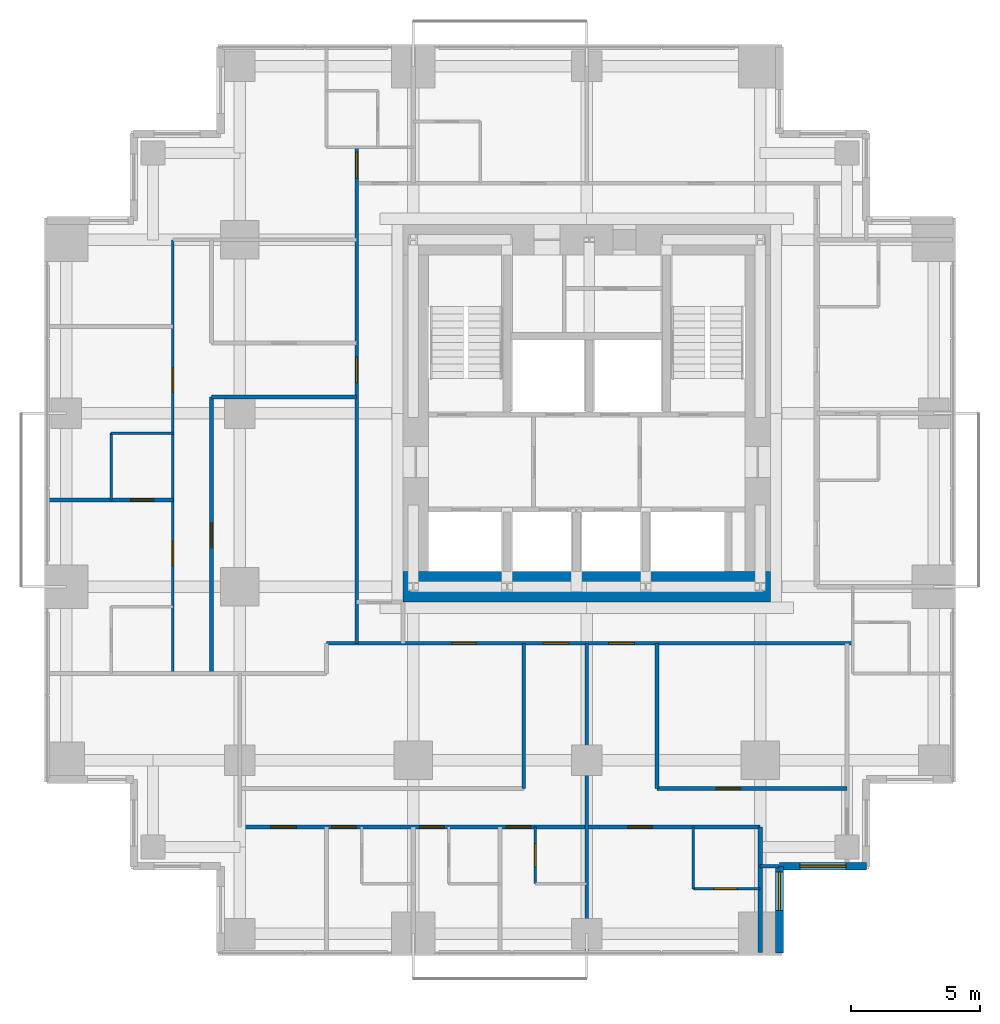
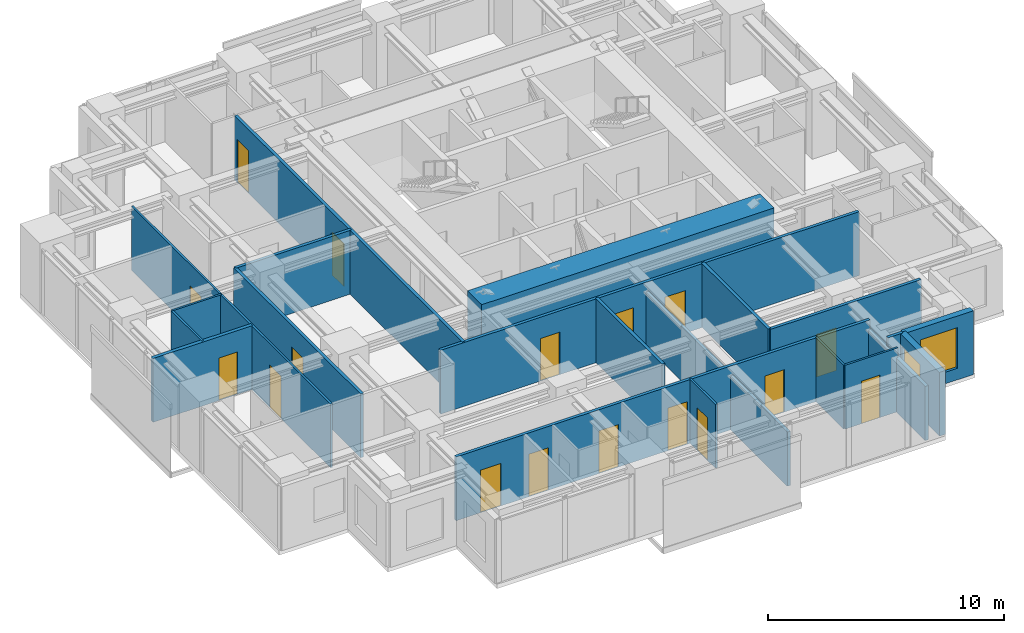
# One storey, part 6 of 10: 21 walls, 17 doors, 2 windows, 19 openings.
"""IFC4 building model written with IfcOpenShell, lengths in metres."""

from ifc_helpers import new_model, si_unit, direction, frame, frame_2d, origin, place, context, subcontext, project, spatial, rectangle, extrude, material, layer, layer_set, type_object, element, fill, save


model = new_model("IFC4")

# Units and contexts
model_context = context("Model", 3, precision=1e-05, world=origin(), true_north=direction((0.0, 1.0)))
body_context = subcontext(model_context, "Body", "Model", "MODEL_VIEW")
ifc_project = project(units=[si_unit("LENGTHUNIT", "METRE"), si_unit("AREAUNIT", "SQUARE_METRE"), si_unit("VOLUMEUNIT", "CUBIC_METRE"), si_unit("PLANEANGLEUNIT", "RADIAN"), si_unit("MASSUNIT", "GRAM", prefix="KILO")], contexts=[model_context])

# Site, building, storey
site_placement = place(None, origin())
site = spatial("IfcSite", under=ifc_project, at=site_placement, CompositionType="ELEMENT")
building_placement = place(site_placement, origin())
building = spatial("IfcBuilding", under=site, at=building_placement, Name="Nyansa Garden Tower", CompositionType="ELEMENT")
storey_placement = place(building_placement, frame((0.0, 0.0, 196.199951171875)))
storey = spatial("IfcBuildingStorey", under=building, at=storey_placement, Name="L53", CompositionType="ELEMENT", Elevation=196.199951171875)

# Wall, opening, door
ifc_material_1 = material(Name="Dense blockwork, plastered both sides, 55 dB", Category="masonry")
ifc_layer_1 = layer(ifc_material_1, 0.175048828125)
ifc_layer_set_1 = layer_set([ifc_layer_1], Name="Acoustic party wall PW175")
wall_type_1 = type_object("IfcWallType", Name="Acoustic party wall PW175", PredefinedType="PARTITIONING", material=ifc_layer_set_1)
wall_1_placement = place(storey_placement, frame((-0.73388671875, 16.875, 0.0), z_axis=(0.0, 0.0, 1.0), x_axis=(1.0, 0.0, 0.0)))
wall_1 = element("IfcWall", 1, at=wall_1_placement, inside=storey, type_object=wall_type_1, Name="Party wall", PredefinedType="PARTITIONING", context=body_context, shape_type="SweptSolid", body=[
    extrude(rectangle(XDim=4.8837890625, YDim=0.175048828125, at=frame_2d((2.44189453125, 0.0))), origin(), (0.0, 0.0, 1.0), 3.300048828125),
])
opening_1_placement = place(wall_1_placement, frame((3.23388671875, 0.0, 0.0)))
opening_1 = element("IfcOpeningElement", 2, at=opening_1_placement, cuts=wall_1, Name="Opening D02", PredefinedType="OPENING", context=body_context, shape_type="SweptSolid", body=[
    extrude(rectangle(XDim=0.89990234375, YDim=2.199951171875, at=frame_2d((0.449951171875, 1.10009765625))), frame((0.0, 0.097412109375, 0.0), z_axis=(0.0, -1.0, 0.0), x_axis=(1.0, 0.0, 0.0)), (0.0, 0.0, 1.0), 0.195068359375),
])
ifc_material_2 = material(Name="Timber flush door", Category="wood")
door_type_1 = type_object("IfcDoorType", Name="En-suite door D02 900x2200", OperationType="SINGLE_SWING_RIGHT", PredefinedType="DOOR", material=ifc_material_2)
door_1_placement = place(opening_1_placement, origin())
door_1 = element("IfcDoor", 3, at=door_1_placement, inside=storey, type_object=door_type_1, Name="Door L53-049", OperationType="SINGLE_SWING_RIGHT", OverallHeight=2.199951171875, OverallWidth=0.89990234375, PredefinedType="DOOR", context=body_context, shape_type="SweptSolid", body=[
    extrude(rectangle(XDim=0.89990234375, YDim=2.199951171875, at=frame_2d((0.449951171875, 1.10009765625))), frame((0.0, 0.02490234375, 0.0), z_axis=(0.0, -1.0, 0.0), x_axis=(1.0, 0.0, 0.0)), (0.0, 0.0, 1.0), 0.050048828125),
])
fill(opening_1, door_1)

# Walls
wall_2_placement = place(storey_placement, frame((27.0, -0.73388671875, 0.0), z_axis=(0.0, 0.0, 1.0), x_axis=(0.0, 1.0, 0.0)))
element("IfcWall", 4, at=wall_2_placement, inside=storey, type_object=wall_type_1, Name="Party wall", PredefinedType="PARTITIONING", context=body_context, shape_type="SweptSolid", body=[
    extrude(rectangle(XDim=4.8837890625, YDim=0.175048828125, at=frame_2d((2.44189453125, 0.0))), origin(), (0.0, 0.0, 1.0), 2.802001953125),
])
ifc_material_3 = material(Name="Concrete C80/95", Category="concrete")
ifc_layer_2 = layer(ifc_material_3, 1.199951171875)
ifc_layer_set_2 = layer_set([ifc_layer_2], Name="Core wall CW1200")
wall_type_2 = type_object("IfcWallType", Name="Core wall CW1200", PredefinedType="SHEAR", material=ifc_layer_set_2)
wall_3_placement = place(storey_placement, frame((13.10009765625, 13.5, 0.0), z_axis=(0.0, 0.0, 1.0), x_axis=(1.0, 0.0, 0.0)))
element("IfcWall", 5, at=wall_3_placement, inside=storey, type_object=wall_type_2, Name="Core wall S L53", PredefinedType="SHEAR", context=body_context, shape_type="SweptSolid", body=[
    extrude(rectangle(XDim=14.2998046875, YDim=1.199951171875, at=frame_2d((7.14990234375, 0.0))), origin(), (0.0, 0.0, 1.0), 3.60009765625),
])

# Wall, opening, door
ifc_material_4 = material(Name="Blockwork, plastered both sides", Category="masonry")
ifc_layer_3 = layer(ifc_material_4, 0.14990234375)
ifc_layer_set_3 = layer_set([ifc_layer_3], Name="Partition PW150")
wall_type_3 = type_object("IfcWallType", Name="Partition PW150", PredefinedType="PARTITIONING", material=ifc_layer_set_3)
wall_4_placement = place(storey_placement, frame((5.64990234375, 10.125, 0.0), z_axis=(0.0, 0.0, 1.0), x_axis=(0.0, 1.0, 0.0)))
wall_4 = element("IfcWall", 6, at=wall_4_placement, inside=storey, type_object=wall_type_3, Name="Partition", PredefinedType="PARTITIONING", context=body_context, shape_type="SweptSolid", body=[
    extrude(rectangle(XDim=10.762451171875, YDim=0.14990234375, at=frame_2d((5.38134765625, 0.0))), origin(), (0.0, 0.0, 1.0), 3.300048828125),
])
opening_2_placement = place(wall_4_placement, frame((4.89990234375, 0.0, 0.0)))
opening_2 = element("IfcOpeningElement", 7, at=opening_2_placement, cuts=wall_4, Name="Opening D01", PredefinedType="OPENING", context=body_context, shape_type="SweptSolid", body=[
    extrude(rectangle(XDim=0.949951171875, YDim=2.199951171875, at=frame_2d((0.47509765625, 1.10009765625))), frame((0.0, 0.0849609375, 0.0), z_axis=(0.0, -1.0, 0.0), x_axis=(1.0, 0.0, 0.0)), (0.0, 0.0, 1.0), 0.169921875),
])
ifc_material_5 = material(Name="Timber flush door, 30 minute fire resisting", Category="wood")
door_type_2 = type_object("IfcDoorType", Name="Bedroom door D01 950x2200", OperationType="SINGLE_SWING_LEFT", PredefinedType="DOOR", material=ifc_material_5)
door_2_placement = place(opening_2_placement, origin())
door_2 = element("IfcDoor", 8, at=door_2_placement, inside=storey, type_object=door_type_2, Name="Door L53-051", OperationType="SINGLE_SWING_LEFT", OverallHeight=2.199951171875, OverallWidth=0.949951171875, PredefinedType="DOOR", context=body_context, shape_type="SweptSolid", body=[
    extrude(rectangle(XDim=0.949951171875, YDim=2.199951171875, at=frame_2d((0.47509765625, 1.10009765625))), frame((0.0, 0.02490234375, 0.0), z_axis=(0.0, -1.0, 0.0), x_axis=(1.0, 0.0, 0.0)), (0.0, 0.0, 1.0), 0.050048828125),
])
fill(opening_2, door_2)

# Wall
wall_5_placement = place(storey_placement, frame((5.64990234375, 20.886962890625, 0.0), z_axis=(0.0, 0.0, 1.0), x_axis=(1.0, 0.0, 0.0)))
element("IfcWall", 9, at=wall_5_placement, inside=storey, type_object=wall_type_3, Name="Partition", PredefinedType="PARTITIONING", context=body_context, shape_type="SweptSolid", body=[
    extrude(rectangle(XDim=5.650146484375, YDim=0.14990234375, at=frame_2d((2.8251953125, 0.0))), origin(), (0.0, 0.0, 1.0), 3.300048828125),
])

# Wall, openings, doors
wall_6_placement = place(storey_placement, frame((6.75, 4.14990234375, 0.0), z_axis=(0.0, 0.0, 1.0), x_axis=(1.0, 0.0, 0.0)))
wall_6 = element("IfcWall", 10, at=wall_6_placement, inside=storey, type_object=wall_type_3, Name="Partition", PredefinedType="PARTITIONING", context=body_context, shape_type="SweptSolid", body=[
    extrude(rectangle(XDim=20.25, YDim=0.14990234375, at=frame_2d((10.125, 0.0))), origin(), (0.0, 0.0, 1.0), 3.300048828125),
])
opening_3_placement = place(wall_6_placement, frame((1.199951171875, 0.0, 0.0)))
opening_3 = element("IfcOpeningElement", 11, at=opening_3_placement, cuts=wall_6, Name="Opening D03", PredefinedType="OPENING", context=body_context, shape_type="SweptSolid", body=[
    extrude(rectangle(XDim=1.0, YDim=2.199951171875, at=frame_2d((0.5, 1.10009765625))), frame((0.0, 0.0849609375, 0.0), z_axis=(0.0, -1.0, 0.0), x_axis=(1.0, 0.0, 0.0)), (0.0, 0.0, 1.0), 0.169921875),
])
opening_4_placement = place(wall_6_placement, frame((3.574951171875, 0.0, 0.0)))
opening_4 = element("IfcOpeningElement", 12, at=opening_4_placement, cuts=wall_6, Name="Opening D01", PredefinedType="OPENING", context=body_context, shape_type="SweptSolid", body=[
    extrude(rectangle(XDim=0.949951171875, YDim=2.199951171875, at=frame_2d((0.47509765625, 1.10009765625))), frame((0.0, 0.0849609375, 0.0), z_axis=(0.0, -1.0, 0.0), x_axis=(1.0, 0.0, 0.0)), (0.0, 0.0, 1.0), 0.169921875),
])
opening_5_placement = place(wall_6_placement, frame((7.0, 0.0, 0.0)))
opening_5 = element("IfcOpeningElement", 13, at=opening_5_placement, cuts=wall_6, Name="Opening D01", PredefinedType="OPENING", context=body_context, shape_type="SweptSolid", body=[
    extrude(rectangle(XDim=0.949951171875, YDim=2.199951171875, at=frame_2d((0.47509765625, 1.10009765625))), frame((0.0, 0.0849609375, 0.0), z_axis=(0.0, -1.0, 0.0), x_axis=(1.0, 0.0, 0.0)), (0.0, 0.0, 1.0), 0.169921875),
])
opening_6_placement = place(wall_6_placement, frame((10.375, 0.0, 0.0)))
opening_6 = element("IfcOpeningElement", 14, at=opening_6_placement, cuts=wall_6, Name="Opening D01", PredefinedType="OPENING", context=body_context, shape_type="SweptSolid", body=[
    extrude(rectangle(XDim=0.949951171875, YDim=2.199951171875, at=frame_2d((0.47509765625, 1.10009765625))), frame((0.0, 0.0849609375, 0.0), z_axis=(0.0, -1.0, 0.0), x_axis=(1.0, 0.0, 0.0)), (0.0, 0.0, 1.0), 0.169921875),
])
opening_7_placement = place(wall_6_placement, frame((15.10009765625, 0.0, 0.0)))
opening_7 = element("IfcOpeningElement", 15, at=opening_7_placement, cuts=wall_6, Name="Opening D14", PredefinedType="OPENING", context=body_context, shape_type="SweptSolid", body=[
    extrude(rectangle(XDim=0.949951171875, YDim=2.199951171875, at=frame_2d((0.47509765625, 1.10009765625))), frame((0.0, 0.0849609375, 0.0), z_axis=(0.0, -1.0, 0.0), x_axis=(1.0, 0.0, 0.0)), (0.0, 0.0, 1.0), 0.169921875),
])
door_3_placement = place(opening_4_placement, origin())
door_3 = element("IfcDoor", 16, at=door_3_placement, inside=storey, type_object=door_type_2, Name="Door L53-019", OperationType="SINGLE_SWING_LEFT", OverallHeight=2.199951171875, OverallWidth=0.949951171875, PredefinedType="DOOR", context=body_context, shape_type="SweptSolid", body=[
    extrude(rectangle(XDim=0.949951171875, YDim=2.199951171875, at=frame_2d((0.47509765625, 1.10009765625))), frame((0.0, 0.02490234375, 0.0), z_axis=(0.0, -1.0, 0.0), x_axis=(1.0, 0.0, 0.0)), (0.0, 0.0, 1.0), 0.050048828125),
])
fill(opening_4, door_3)
door_4_placement = place(opening_5_placement, origin())
door_4 = element("IfcDoor", 17, at=door_4_placement, inside=storey, type_object=door_type_2, Name="Door L53-021", OperationType="SINGLE_SWING_LEFT", OverallHeight=2.199951171875, OverallWidth=0.949951171875, PredefinedType="DOOR", context=body_context, shape_type="SweptSolid", body=[
    extrude(rectangle(XDim=0.949951171875, YDim=2.199951171875, at=frame_2d((0.47509765625, 1.10009765625))), frame((0.0, 0.02490234375, 0.0), z_axis=(0.0, -1.0, 0.0), x_axis=(1.0, 0.0, 0.0)), (0.0, 0.0, 1.0), 0.050048828125),
])
fill(opening_5, door_4)
door_5_placement = place(opening_6_placement, origin())
door_5 = element("IfcDoor", 18, at=door_5_placement, inside=storey, type_object=door_type_2, Name="Door L53-023", OperationType="SINGLE_SWING_LEFT", OverallHeight=2.199951171875, OverallWidth=0.949951171875, PredefinedType="DOOR", context=body_context, shape_type="SweptSolid", body=[
    extrude(rectangle(XDim=0.949951171875, YDim=2.199951171875, at=frame_2d((0.47509765625, 1.10009765625))), frame((0.0, 0.02490234375, 0.0), z_axis=(0.0, -1.0, 0.0), x_axis=(1.0, 0.0, 0.0)), (0.0, 0.0, 1.0), 0.050048828125),
])
fill(opening_6, door_5)
ifc_material_6 = material(Name="Timber flush door, 60 minute fire resisting", Category="wood")
door_type_3 = type_object("IfcDoorType", Name="Cluster entrance door D03 1000x2200", OperationType="SINGLE_SWING_LEFT", PredefinedType="DOOR", material=ifc_material_6)
door_6_placement = place(opening_3_placement, origin())
door_6 = element("IfcDoor", 19, at=door_6_placement, inside=storey, type_object=door_type_3, Name="Door L53-018", OperationType="SINGLE_SWING_LEFT", OverallHeight=2.199951171875, OverallWidth=1.0, PredefinedType="DOOR", context=body_context, shape_type="SweptSolid", body=[
    extrude(rectangle(XDim=1.0, YDim=2.199951171875, at=frame_2d((0.5, 1.10009765625))), frame((0.0, 0.02490234375, 0.0), z_axis=(0.0, -1.0, 0.0), x_axis=(1.0, 0.0, 0.0)), (0.0, 0.0, 1.0), 0.050048828125),
])
fill(opening_3, door_6)
ifc_material_7 = material(Name="Timber flush door, 60 minute fire resisting, self-closing", Category="wood")
door_type_4 = type_object("IfcDoorType", Name="Studio entrance door D14 950x2200", OperationType="SINGLE_SWING_LEFT", PredefinedType="DOOR", material=ifc_material_7)
door_7_placement = place(opening_7_placement, origin())
door_7 = element("IfcDoor", 20, at=door_7_placement, inside=storey, type_object=door_type_4, Name="Door L53-026", OperationType="SINGLE_SWING_LEFT", OverallHeight=2.199951171875, OverallWidth=0.949951171875, PredefinedType="DOOR", context=body_context, shape_type="SweptSolid", body=[
    extrude(rectangle(XDim=0.949951171875, YDim=2.199951171875, at=frame_2d((0.47509765625, 1.10009765625))), frame((0.0, 0.02490234375, 0.0), z_axis=(0.0, -1.0, 0.0), x_axis=(1.0, 0.0, 0.0)), (0.0, 0.0, 1.0), 0.050048828125),
])
fill(opening_7, door_7)

wall_7_placement = place(storey_placement, frame((10.125, 11.300048828125, 0.0), z_axis=(0.0, 0.0, 1.0), x_axis=(1.0, 0.0, 0.0)))
wall_7 = element("IfcWall", 21, at=wall_7_placement, inside=storey, type_object=wall_type_3, Name="Partition", PredefinedType="PARTITIONING", context=body_context, shape_type="SweptSolid", body=[
    extrude(rectangle(XDim=20.47509765625, YDim=0.14990234375, at=frame_2d((10.237548828125, 0.0))), origin(), (0.0, 0.0, 1.0), 3.300048828125),
])
opening_8_placement = place(wall_7_placement, frame((8.425048828125, 0.0, 0.0)))
opening_8 = element("IfcOpeningElement", 22, at=opening_8_placement, cuts=wall_7, Name="Opening D03", PredefinedType="OPENING", context=body_context, shape_type="SweptSolid", body=[
    extrude(rectangle(XDim=1.0, YDim=2.199951171875, at=frame_2d((0.5, 1.10009765625))), frame((0.0, 0.0849609375, 0.0), z_axis=(0.0, -1.0, 0.0), x_axis=(1.0, 0.0, 0.0)), (0.0, 0.0, 1.0), 0.169921875),
])
opening_9_placement = place(wall_7_placement, frame((10.97509765625, 0.0, 0.0)))
opening_9 = element("IfcOpeningElement", 23, at=opening_9_placement, cuts=wall_7, Name="Opening D03", PredefinedType="OPENING", context=body_context, shape_type="SweptSolid", body=[
    extrude(rectangle(XDim=1.0, YDim=2.199951171875, at=frame_2d((0.5, 1.10009765625))), frame((0.0, 0.0849609375, 0.0), z_axis=(0.0, -1.0, 0.0), x_axis=(1.0, 0.0, 0.0)), (0.0, 0.0, 1.0), 0.169921875),
])
opening_10_placement = place(wall_7_placement, frame((4.875, 0.0, 0.0)))
opening_10 = element("IfcOpeningElement", 24, at=opening_10_placement, cuts=wall_7, Name="Opening D01", PredefinedType="OPENING", context=body_context, shape_type="SweptSolid", body=[
    extrude(rectangle(XDim=0.949951171875, YDim=2.199951171875, at=frame_2d((0.47509765625, 1.10009765625))), frame((0.0, 0.0849609375, 0.0), z_axis=(0.0, -1.0, 0.0), x_axis=(1.0, 0.0, 0.0)), (0.0, 0.0, 1.0), 0.169921875),
])
door_8_placement = place(opening_10_placement, origin())
door_8 = element("IfcDoor", 25, at=door_8_placement, inside=storey, type_object=door_type_2, Name="Door L53-029", OperationType="SINGLE_SWING_LEFT", OverallHeight=2.199951171875, OverallWidth=0.949951171875, PredefinedType="DOOR", context=body_context, shape_type="SweptSolid", body=[
    extrude(rectangle(XDim=0.949951171875, YDim=2.199951171875, at=frame_2d((0.47509765625, 1.10009765625))), frame((0.0, 0.02490234375, 0.0), z_axis=(0.0, -1.0, 0.0), x_axis=(1.0, 0.0, 0.0)), (0.0, 0.0, 1.0), 0.050048828125),
])
fill(opening_10, door_8)
door_9_placement = place(opening_8_placement, origin())
door_9 = element("IfcDoor", 26, at=door_9_placement, inside=storey, type_object=door_type_3, Name="Door L53-025", OperationType="SINGLE_SWING_LEFT", OverallHeight=2.199951171875, OverallWidth=1.0, PredefinedType="DOOR", context=body_context, shape_type="SweptSolid", body=[
    extrude(rectangle(XDim=1.0, YDim=2.199951171875, at=frame_2d((0.5, 1.10009765625))), frame((0.0, 0.02490234375, 0.0), z_axis=(0.0, -1.0, 0.0), x_axis=(1.0, 0.0, 0.0)), (0.0, 0.0, 1.0), 0.050048828125),
])
fill(opening_8, door_9)
door_10_placement = place(opening_9_placement, origin())
door_10 = element("IfcDoor", 27, at=door_10_placement, inside=storey, type_object=door_type_3, Name="Door L53-028", OperationType="SINGLE_SWING_LEFT", OverallHeight=2.199951171875, OverallWidth=1.0, PredefinedType="DOOR", context=body_context, shape_type="SweptSolid", body=[
    extrude(rectangle(XDim=1.0, YDim=2.199951171875, at=frame_2d((0.5, 1.10009765625))), frame((0.0, 0.02490234375, 0.0), z_axis=(0.0, -1.0, 0.0), x_axis=(1.0, 0.0, 0.0)), (0.0, 0.0, 1.0), 0.050048828125),
])
fill(opening_9, door_10)

wall_8_placement = place(storey_placement, frame((11.300048828125, 11.300048828125, 0.0), z_axis=(0.0, 0.0, 1.0), x_axis=(0.0, 1.0, 0.0)))
wall_8 = element("IfcWall", 28, at=wall_8_placement, inside=storey, type_object=wall_type_3, Name="Partition", PredefinedType="PARTITIONING", context=body_context, shape_type="SweptSolid", body=[
    extrude(rectangle(XDim=19.300048828125, YDim=0.14990234375, at=frame_2d((9.64990234375, 0.0))), origin(), (0.0, 0.0, 1.0), 3.300048828125),
])
opening_11_placement = place(wall_8_placement, frame((18.10009765625, 0.0, 0.0)))
opening_11 = element("IfcOpeningElement", 29, at=opening_11_placement, cuts=wall_8, Name="Opening D03", PredefinedType="OPENING", context=body_context, shape_type="SweptSolid", body=[
    extrude(rectangle(XDim=1.0, YDim=2.199951171875, at=frame_2d((0.5, 1.10009765625))), frame((0.0, 0.0849609375, 0.0), z_axis=(0.0, -1.0, 0.0), x_axis=(1.0, 0.0, 0.0)), (0.0, 0.0, 1.0), 0.169921875),
])
opening_12_placement = place(wall_8_placement, frame((10.137451171875, 0.0, 0.0)))
opening_12 = element("IfcOpeningElement", 30, at=opening_12_placement, cuts=wall_8, Name="Opening D03", PredefinedType="OPENING", context=body_context, shape_type="SweptSolid", body=[
    extrude(rectangle(XDim=1.0, YDim=2.199951171875, at=frame_2d((0.5, 1.10009765625))), frame((0.0, 0.0849609375, 0.0), z_axis=(0.0, -1.0, 0.0), x_axis=(1.0, 0.0, 0.0)), (0.0, 0.0, 1.0), 0.169921875),
])
door_11_placement = place(opening_11_placement, origin())
door_11 = element("IfcDoor", 31, at=door_11_placement, inside=storey, type_object=door_type_3, Name="Door L53-045", OperationType="SINGLE_SWING_LEFT", OverallHeight=2.199951171875, OverallWidth=1.0, PredefinedType="DOOR", context=body_context, shape_type="SweptSolid", body=[
    extrude(rectangle(XDim=1.0, YDim=2.199951171875, at=frame_2d((0.5, 1.10009765625))), frame((0.0, 0.02490234375, 0.0), z_axis=(0.0, -1.0, 0.0), x_axis=(1.0, 0.0, 0.0)), (0.0, 0.0, 1.0), 0.050048828125),
])
fill(opening_11, door_11)
door_12_placement = place(opening_12_placement, origin())
door_12 = element("IfcDoor", 32, at=door_12_placement, inside=storey, type_object=door_type_3, Name="Door L53-050", OperationType="SINGLE_SWING_LEFT", OverallHeight=2.199951171875, OverallWidth=1.0, PredefinedType="DOOR", context=body_context, shape_type="SweptSolid", body=[
    extrude(rectangle(XDim=1.0, YDim=2.199951171875, at=frame_2d((0.5, 1.10009765625))), frame((0.0, 0.02490234375, 0.0), z_axis=(0.0, -1.0, 0.0), x_axis=(1.0, 0.0, 0.0)), (0.0, 0.0, 1.0), 0.050048828125),
])
fill(opening_12, door_12)

# Walls
wall_9_placement = place(storey_placement, frame((17.800048828125, 5.64990234375, 0.0), z_axis=(0.0, 0.0, 1.0), x_axis=(0.0, 1.0, 0.0)))
element("IfcWall", 33, at=wall_9_placement, inside=storey, type_object=wall_type_3, Name="Partition", PredefinedType="PARTITIONING", context=body_context, shape_type="SweptSolid", body=[
    extrude(rectangle(XDim=5.650146484375, YDim=0.14990234375, at=frame_2d((2.8251953125, 0.0))), origin(), (0.0, 0.0, 1.0), 3.300048828125),
])
wall_10_placement = place(storey_placement, frame((20.25, -0.73388671875, 0.0), z_axis=(0.0, 0.0, 1.0), x_axis=(0.0, 1.0, 0.0)))
element("IfcWall", 34, at=wall_10_placement, inside=storey, type_object=wall_type_3, Name="Partition", PredefinedType="PARTITIONING", context=body_context, shape_type="SweptSolid", body=[
    extrude(rectangle(XDim=12.033935546875, YDim=0.14990234375, at=frame_2d((6.01708984375, 0.0))), origin(), (0.0, 0.0, 1.0), 2.802001953125),
])

# Wall, opening, door
wall_11_placement = place(storey_placement, frame((22.987548828125, 5.64990234375, 0.0), z_axis=(0.0, 0.0, 1.0), x_axis=(1.0, 0.0, 0.0)))
wall_11 = element("IfcWall", 35, at=wall_11_placement, inside=storey, type_object=wall_type_3, Name="Partition", PredefinedType="PARTITIONING", context=body_context, shape_type="SweptSolid", body=[
    extrude(rectangle(XDim=7.387451171875, YDim=0.14990234375, at=frame_2d((3.69384765625, 0.0))), origin(), (0.0, 0.0, 1.0), 3.300048828125),
])
opening_13_placement = place(wall_11_placement, frame((2.300048828125, 0.0, 0.0)))
opening_13 = element("IfcOpeningElement", 36, at=opening_13_placement, cuts=wall_11, Name="Opening D01", PredefinedType="OPENING", context=body_context, shape_type="SweptSolid", body=[
    extrude(rectangle(XDim=0.949951171875, YDim=2.199951171875, at=frame_2d((0.47509765625, 1.10009765625))), frame((0.0, 0.0849609375, 0.0), z_axis=(0.0, -1.0, 0.0), x_axis=(1.0, 0.0, 0.0)), (0.0, 0.0, 1.0), 0.169921875),
])
door_13_placement = place(opening_13_placement, origin())
door_13 = element("IfcDoor", 37, at=door_13_placement, inside=storey, type_object=door_type_2, Name="Door L53-030", OperationType="SINGLE_SWING_LEFT", OverallHeight=2.199951171875, OverallWidth=0.949951171875, PredefinedType="DOOR", context=body_context, shape_type="SweptSolid", body=[
    extrude(rectangle(XDim=0.949951171875, YDim=2.199951171875, at=frame_2d((0.47509765625, 1.10009765625))), frame((0.0, 0.02490234375, 0.0), z_axis=(0.0, -1.0, 0.0), x_axis=(1.0, 0.0, 0.0)), (0.0, 0.0, 1.0), 0.050048828125),
])
fill(opening_13, door_13)

# Walls
wall_12_placement = place(storey_placement, frame((22.988037109375, 5.64990234375, 0.0), z_axis=(0.0, 0.0, 1.0), x_axis=(0.0, 1.0, 0.0)))
element("IfcWall", 38, at=wall_12_placement, inside=storey, type_object=wall_type_3, Name="Partition", PredefinedType="PARTITIONING", context=body_context, shape_type="SweptSolid", body=[
    extrude(rectangle(XDim=5.650146484375, YDim=0.14990234375, at=frame_2d((2.8251953125, 0.0))), origin(), (0.0, 0.0, 1.0), 3.300048828125),
])
wall_13_placement = place(storey_placement, frame((27.0, 2.625, 0.0), z_axis=(0.0, 0.0, 1.0), x_axis=(1.0, 0.0, 0.0)))
element("IfcWall", 39, at=wall_13_placement, inside=storey, type_object=wall_type_3, Name="Partition", PredefinedType="PARTITIONING", context=body_context, shape_type="SweptSolid", body=[
    extrude(rectangle(XDim=0.73388671875, YDim=0.14990234375, at=frame_2d((0.366943359375, 0.0))), origin(), (0.0, 0.0, 1.0), 3.300048828125),
])

# Wall, opening, window
ifc_material_8 = material(Name="Turquoise glazed tile on concrete blockwork", Category="masonry")
ifc_layer_4 = layer(ifc_material_8, 0.300048828125)
ifc_layer_set_4 = layer_set([ifc_layer_4], Name="Tiled corner wall TW300")
wall_type_4 = type_object("IfcWallType", Name="Tiled corner wall TW300", PredefinedType="SOLIDWALL", material=ifc_layer_set_4)
wall_14_placement = place(storey_placement, frame((27.75, -0.75, 0.0), z_axis=(0.0, 0.0, 1.0), x_axis=(0.0, 1.0, 0.0)))
wall_14 = element("IfcWall", 40, at=wall_14_placement, inside=storey, type_object=wall_type_4, Name="Tiled corner wall L53", PredefinedType="SOLIDWALL", context=body_context, shape_type="SweptSolid", body=[
    extrude(rectangle(XDim=3.375, YDim=0.300048828125, at=frame_2d((1.6875, 0.0))), origin(), (0.0, 0.0, 1.0), 3.300048828125),
])
opening_14_placement = place(wall_14_placement, frame((1.657470703125, 0.0, 0.89990234375)))
opening_14 = element("IfcOpeningElement", 41, at=opening_14_placement, cuts=wall_14, Name="Opening W1", PredefinedType="OPENING", context=body_context, shape_type="SweptSolid", body=[
    extrude(rectangle(XDim=1.5, YDim=1.800048828125, at=frame_2d((0.75, 0.89990234375))), frame((0.0, 0.159912109375, 0.0), z_axis=(0.0, -1.0, 0.0), x_axis=(1.0, 0.0, 0.0)), (0.0, 0.0, 1.0), 0.320068359375),
])
ifc_material_9 = material(Name="Black aluminium frame, dark tinted double glazing", Category="aluminium")
window_type_1 = type_object("IfcWindowType", Name="Window W1 1500x1800", PartitioningType="SINGLE_PANEL", PredefinedType="WINDOW", material=ifc_material_9)
window_1_placement = place(opening_14_placement, origin())
window_1 = element("IfcWindow", 42, at=window_1_placement, inside=storey, type_object=window_type_1, Name="Corner window L53", OverallHeight=1.800048828125, OverallWidth=1.5, PartitioningType="SINGLE_PANEL", PredefinedType="WINDOW", context=body_context, shape_type="SweptSolid", body=[
    extrude(rectangle(XDim=1.5, YDim=1.800048828125, at=frame_2d((0.75, 0.89990234375))), frame((0.0, 0.030029296875, 0.0), z_axis=(0.0, -1.0, 0.0), x_axis=(1.0, 0.0, 0.0)), (0.0, 0.0, 1.0), 0.06005859375),
])
fill(opening_14, window_1)

wall_15_placement = place(storey_placement, frame((27.75, 2.625, 0.0), z_axis=(0.0, 0.0, 1.0), x_axis=(1.0, 0.0, 0.0)))
wall_15 = element("IfcWall", 43, at=wall_15_placement, inside=storey, type_object=wall_type_4, Name="Tiled corner wall L53", PredefinedType="SOLIDWALL", context=body_context, shape_type="SweptSolid", body=[
    extrude(rectangle(XDim=3.375, YDim=0.300048828125, at=frame_2d((1.6875, 0.0))), origin(), (0.0, 0.0, 1.0), 3.300048828125),
])
opening_15_placement = place(wall_15_placement, frame((0.78759765625, 0.0, 0.60009765625)))
opening_15 = element("IfcOpeningElement", 44, at=opening_15_placement, cuts=wall_15, Name="Opening W2", PredefinedType="OPENING", context=body_context, shape_type="SweptSolid", body=[
    extrude(rectangle(XDim=1.800048828125, YDim=2.10009765625, at=frame_2d((0.89990234375, 1.050048828125))), frame((0.0, 0.159912109375, 0.0), z_axis=(0.0, -1.0, 0.0), x_axis=(1.0, 0.0, 0.0)), (0.0, 0.0, 1.0), 0.320068359375),
])
ifc_material_10 = material(Name="Black aluminium frame, dark tinted double glazing", Category="aluminium")
window_type_2 = type_object("IfcWindowType", Name="Window W2 1800x2100", PartitioningType="SINGLE_PANEL", PredefinedType="WINDOW", material=ifc_material_10)
window_2_placement = place(opening_15_placement, origin())
window_2 = element("IfcWindow", 45, at=window_2_placement, inside=storey, type_object=window_type_2, Name="Corner window L53", OverallHeight=2.10009765625, OverallWidth=1.800048828125, PartitioningType="SINGLE_PANEL", PredefinedType="WINDOW", context=body_context, shape_type="SweptSolid", body=[
    extrude(rectangle(XDim=1.800048828125, YDim=2.10009765625, at=frame_2d((0.89990234375, 1.050048828125))), frame((0.0, 0.030029296875, 0.0), z_axis=(0.0, -1.0, 0.0), x_axis=(1.0, 0.0, 0.0)), (0.0, 0.0, 1.0), 0.06005859375),
])
fill(opening_15, window_2)

# Walls
ifc_material_11 = material(Name="Moisture resistant board on steel studs, tiled", Category="steel")
ifc_layer_5 = layer(ifc_material_11, 0.10009765625)
ifc_layer_set_5 = layer_set([ifc_layer_5], Name="Wet wall PW100")
wall_type_5 = type_object("IfcWallType", Name="Wet wall PW100", PredefinedType="PARTITIONING", material=ifc_layer_set_5)
wall_16_placement = place(storey_placement, frame((1.75, 16.875, 0.0), z_axis=(0.0, 0.0, 1.0), x_axis=(0.0, 1.0, 0.0)))
element("IfcWall", 46, at=wall_16_placement, inside=storey, type_object=wall_type_5, Name="Wet wall", PredefinedType="PARTITIONING", context=body_context, shape_type="SweptSolid", body=[
    extrude(rectangle(XDim=2.60009765625, YDim=0.10009765625, at=frame_2d((1.300048828125, 0.0))), origin(), (0.0, 0.0, 1.0), 3.300048828125),
])
wall_17_placement = place(storey_placement, frame((1.75, 19.47509765625, 0.0), z_axis=(0.0, 0.0, 1.0), x_axis=(1.0, 0.0, 0.0)))
element("IfcWall", 47, at=wall_17_placement, inside=storey, type_object=wall_type_5, Name="Wet wall", PredefinedType="PARTITIONING", context=body_context, shape_type="SweptSolid", body=[
    extrude(rectangle(XDim=2.39990234375, YDim=0.10009765625, at=frame_2d((1.199951171875, 0.0))), origin(), (0.0, 0.0, 1.0), 3.300048828125),
])

# Wall, openings, doors
wall_18_placement = place(storey_placement, frame((4.14990234375, 10.125, 0.0), z_axis=(0.0, 0.0, 1.0), x_axis=(0.0, 1.0, 0.0)))
wall_18 = element("IfcWall", 48, at=wall_18_placement, inside=storey, type_object=wall_type_5, Name="Wet wall", PredefinedType="PARTITIONING", context=body_context, shape_type="SweptSolid", body=[
    extrude(rectangle(XDim=16.875, YDim=0.10009765625, at=frame_2d((8.4375, 0.0))), origin(), (0.0, 0.0, 1.0), 3.300048828125),
])
opening_16_placement = place(wall_18_placement, frame((4.199951171875, 0.0, 0.0)))
opening_16 = element("IfcOpeningElement", 49, at=opening_16_placement, cuts=wall_18, Name="Opening D14", PredefinedType="OPENING", context=body_context, shape_type="SweptSolid", body=[
    extrude(rectangle(XDim=0.949951171875, YDim=2.199951171875, at=frame_2d((0.47509765625, 1.10009765625))), frame((0.0, 0.06005859375, 0.0), z_axis=(0.0, -1.0, 0.0), x_axis=(1.0, 0.0, 0.0)), (0.0, 0.0, 1.0), 0.1201171875),
])
opening_17_placement = place(wall_18_placement, frame((10.949951171875, 0.0, 0.0)))
opening_17 = element("IfcOpeningElement", 50, at=opening_17_placement, cuts=wall_18, Name="Opening D14", PredefinedType="OPENING", context=body_context, shape_type="SweptSolid", body=[
    extrude(rectangle(XDim=0.949951171875, YDim=2.199951171875, at=frame_2d((0.47509765625, 1.10009765625))), frame((0.0, 0.06005859375, 0.0), z_axis=(0.0, -1.0, 0.0), x_axis=(1.0, 0.0, 0.0)), (0.0, 0.0, 1.0), 0.1201171875),
])
door_14_placement = place(opening_16_placement, origin())
door_14 = element("IfcDoor", 51, at=door_14_placement, inside=storey, type_object=door_type_4, Name="Door L53-046", OperationType="SINGLE_SWING_LEFT", OverallHeight=2.199951171875, OverallWidth=0.949951171875, PredefinedType="DOOR", context=body_context, shape_type="SweptSolid", body=[
    extrude(rectangle(XDim=0.949951171875, YDim=2.199951171875, at=frame_2d((0.47509765625, 1.10009765625))), frame((0.0, 0.02490234375, 0.0), z_axis=(0.0, -1.0, 0.0), x_axis=(1.0, 0.0, 0.0)), (0.0, 0.0, 1.0), 0.050048828125),
])
fill(opening_16, door_14)
door_15_placement = place(opening_17_placement, origin())
door_15 = element("IfcDoor", 52, at=door_15_placement, inside=storey, type_object=door_type_4, Name="Door L53-048", OperationType="SINGLE_SWING_LEFT", OverallHeight=2.199951171875, OverallWidth=0.949951171875, PredefinedType="DOOR", context=body_context, shape_type="SweptSolid", body=[
    extrude(rectangle(XDim=0.949951171875, YDim=2.199951171875, at=frame_2d((0.47509765625, 1.10009765625))), frame((0.0, 0.02490234375, 0.0), z_axis=(0.0, -1.0, 0.0), x_axis=(1.0, 0.0, 0.0)), (0.0, 0.0, 1.0), 0.050048828125),
])
fill(opening_17, door_15)

# Wall, opening, door
wall_19_placement = place(storey_placement, frame((18.25, 1.949951171875, 0.0), z_axis=(0.0, 0.0, 1.0), x_axis=(0.0, 1.0, 0.0)))
wall_19 = element("IfcWall", 53, at=wall_19_placement, inside=storey, type_object=wall_type_5, Name="Wet wall", PredefinedType="PARTITIONING", context=body_context, shape_type="SweptSolid", body=[
    extrude(rectangle(XDim=2.199951171875, YDim=0.10009765625, at=frame_2d((1.10009765625, 0.0))), origin(), (0.0, 0.0, 1.0), 3.300048828125),
])
opening_18_placement = place(wall_19_placement, frame((0.64990234375, 0.0, 0.0)))
opening_18 = element("IfcOpeningElement", 54, at=opening_18_placement, cuts=wall_19, Name="Opening D02", PredefinedType="OPENING", context=body_context, shape_type="SweptSolid", body=[
    extrude(rectangle(XDim=0.89990234375, YDim=2.199951171875, at=frame_2d((0.449951171875, 1.10009765625))), frame((0.0, 0.06005859375, 0.0), z_axis=(0.0, -1.0, 0.0), x_axis=(1.0, 0.0, 0.0)), (0.0, 0.0, 1.0), 0.1201171875),
])
door_16_placement = place(opening_18_placement, origin())
door_16 = element("IfcDoor", 55, at=door_16_placement, inside=storey, type_object=door_type_1, Name="Door L53-024", OperationType="SINGLE_SWING_RIGHT", OverallHeight=2.199951171875, OverallWidth=0.89990234375, PredefinedType="DOOR", context=body_context, shape_type="SweptSolid", body=[
    extrude(rectangle(XDim=0.89990234375, YDim=2.199951171875, at=frame_2d((0.449951171875, 1.10009765625))), frame((0.0, 0.02490234375, 0.0), z_axis=(0.0, -1.0, 0.0), x_axis=(1.0, 0.0, 0.0)), (0.0, 0.0, 1.0), 0.050048828125),
])
fill(opening_18, door_16)

# Wall
wall_20_placement = place(storey_placement, frame((24.39990234375, 1.75, 0.0), z_axis=(0.0, 0.0, 1.0), x_axis=(0.0, 1.0, 0.0)))
element("IfcWall", 56, at=wall_20_placement, inside=storey, type_object=wall_type_5, Name="Wet wall", PredefinedType="PARTITIONING", context=body_context, shape_type="SweptSolid", body=[
    extrude(rectangle(XDim=2.39990234375, YDim=0.10009765625, at=frame_2d((1.199951171875, 0.0))), origin(), (0.0, 0.0, 1.0), 3.300048828125),
])

# Wall, opening, door
wall_21_placement = place(storey_placement, frame((24.39990234375, 1.75, 0.0), z_axis=(0.0, 0.0, 1.0), x_axis=(1.0, 0.0, 0.0)))
wall_21 = element("IfcWall", 57, at=wall_21_placement, inside=storey, type_object=wall_type_5, Name="Wet wall", PredefinedType="PARTITIONING", context=body_context, shape_type="SweptSolid", body=[
    extrude(rectangle(XDim=2.60009765625, YDim=0.10009765625, at=frame_2d((1.300048828125, 0.0))), origin(), (0.0, 0.0, 1.0), 3.300048828125),
])
opening_19_placement = place(wall_21_placement, frame((0.800048828125, 0.0, 0.0)))
opening_19 = element("IfcOpeningElement", 58, at=opening_19_placement, cuts=wall_21, Name="Opening D02", PredefinedType="OPENING", context=body_context, shape_type="SweptSolid", body=[
    extrude(rectangle(XDim=0.89990234375, YDim=2.199951171875, at=frame_2d((0.449951171875, 1.10009765625))), frame((0.0, 0.06005859375, 0.0), z_axis=(0.0, -1.0, 0.0), x_axis=(1.0, 0.0, 0.0)), (0.0, 0.0, 1.0), 0.1201171875),
])
door_17_placement = place(opening_19_placement, origin())
door_17 = element("IfcDoor", 59, at=door_17_placement, inside=storey, type_object=door_type_1, Name="Door L53-027", OperationType="SINGLE_SWING_RIGHT", OverallHeight=2.199951171875, OverallWidth=0.89990234375, PredefinedType="DOOR", context=body_context, shape_type="SweptSolid", body=[
    extrude(rectangle(XDim=0.89990234375, YDim=2.199951171875, at=frame_2d((0.449951171875, 1.10009765625))), frame((0.0, 0.02490234375, 0.0), z_axis=(0.0, -1.0, 0.0), x_axis=(1.0, 0.0, 0.0)), (0.0, 0.0, 1.0), 0.050048828125),
])
fill(opening_19, door_17)

save(model, "model.ifc")
